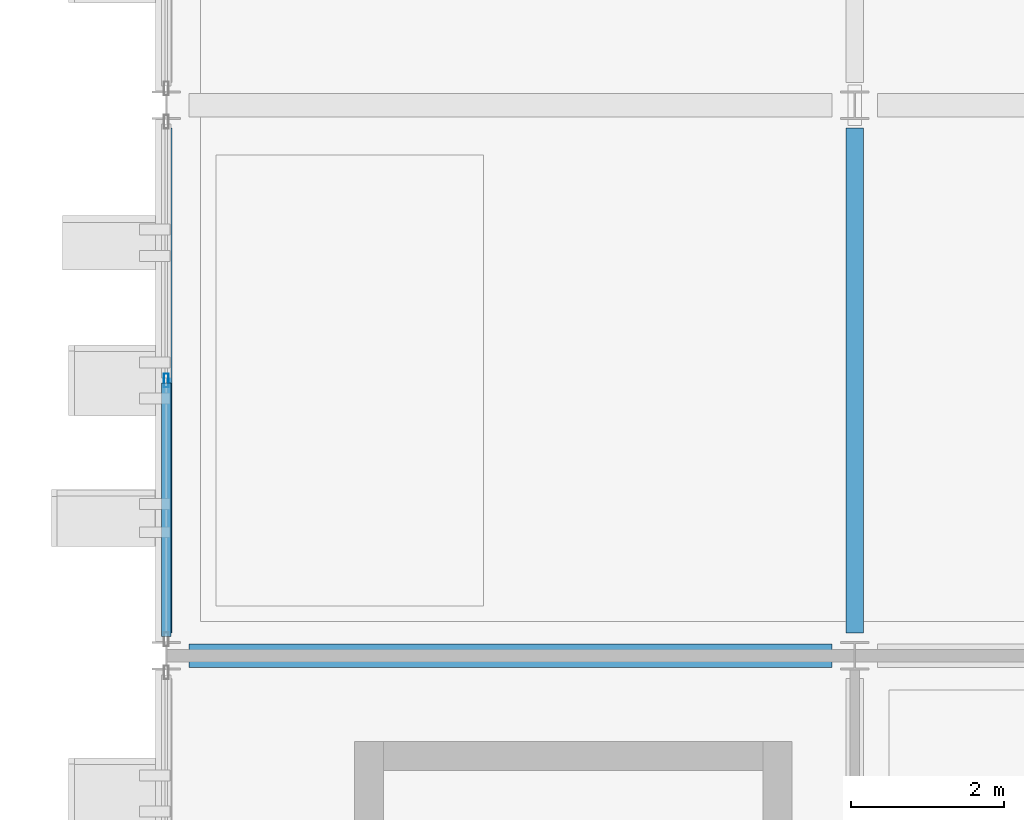
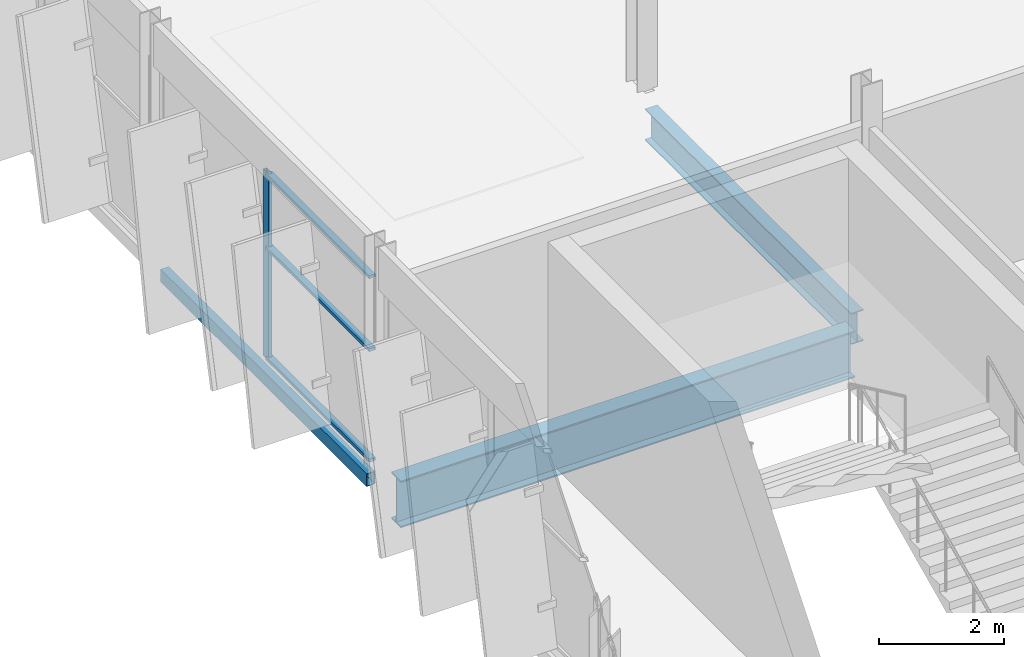
# One storey, part 26 of 78: 4 members, 3 beams, 1 element without a shape of its own.
"""IFC4 building model written with IfcOpenShell, lengths in metres."""

from ifc_helpers import new_model, si_unit, direction, frame, origin, origin_2d, place, context, subcontext, project, spatial, hollow_rectangle, i_section, extrude, material, layer, layer_set, material_profile, profile_set, type_object, element, aggregate, save


model = new_model("IFC4")

# Units and contexts
model_context = context("Model", 3, precision=1e-05, world=origin(), true_north=direction((0.0, 1.0)))
body_context = subcontext(model_context, "Body", "Model", "MODEL_VIEW")
ifc_project = project(units=[si_unit("LENGTHUNIT", "METRE"), si_unit("AREAUNIT", "SQUARE_METRE"), si_unit("VOLUMEUNIT", "CUBIC_METRE"), si_unit("PLANEANGLEUNIT", "RADIAN"), si_unit("MASSUNIT", "GRAM", prefix="KILO")], contexts=[model_context])

# Site, building, storey
site_placement = place(None, origin())
site = spatial("IfcSite", under=ifc_project, at=site_placement, CompositionType="ELEMENT")
building_placement = place(site_placement, origin())
building = spatial("IfcBuilding", under=site, at=building_placement, Name="Celestram Park Convention Centre", CompositionType="ELEMENT")
storey_placement = place(building_placement, frame((0.0, 0.0, 19.800048828125)))
storey = spatial("IfcBuildingStorey", under=building, at=storey_placement, Name="L04", CompositionType="ELEMENT", Elevation=19.800048828125)

# Curtain wall, members
ifc_material_1 = material(Name="Anodised Aluminium Alloy 6063-T6", Category="aluminium")
ifc_layer = layer(ifc_material_1, 0.179931640625)
ifc_layer_set = layer_set([ifc_layer], Name="Anodised Aluminium Alloy 6063-T6")
curtain_wall_type = type_object("IfcCurtainWallType", Name="ARC-CW-683X365", PredefinedType="NOTDEFINED", material=ifc_layer_set)
curtain_wall_placement = place(storey_placement, origin())
curtain_wall = element("IfcCurtainWall", 1, at=curtain_wall_placement, inside=storey, type_object=curtain_wall_type, Name="Unitised curtain wall CU-L04-231", PredefinedType="NOTDEFINED")
ifc_material_profile_1 = material_profile(ifc_material_1, hollow_rectangle(XDim=0.06494140625, YDim=0.179931640625, WallThickness=0.00390625, at=origin_2d()), Name="ALU65X180X4")
ifc_profile_set_1 = profile_set([ifc_material_profile_1], Name="Anodised Aluminium Alloy 6063-T6")
member_type_1 = type_object("IfcMemberType", Name="ARC-CWM-150", PredefinedType="MULLION", material=ifc_profile_set_1)
member_1_placement = place(storey_placement, frame((36.0, 126.0, 0.0), z_axis=(0.0, 0.0, 1.0), x_axis=(-1.0, 0.0, 0.0)))
member_1 = element("IfcMember", 2, at=member_1_placement, type_object=member_type_1, Name="CW-68X36 mullion 2", PredefinedType="MULLION", context=body_context, shape_type="SweptSolid", body=[
    extrude(hollow_rectangle(XDim=0.06494140625, YDim=0.179931640625, WallThickness=0.00390625, at=origin_2d()), origin(), (0.0, 0.0, 1.0), 3.64794921875),
])
ifc_material_profile_2 = material_profile(ifc_material_1, hollow_rectangle(XDim=0.1201171875, YDim=0.06005859375, WallThickness=0.0029296875, at=origin_2d()), Name="ALU120X60X3")
ifc_profile_set_2 = profile_set([ifc_material_profile_2], Name="Anodised Aluminium Alloy 6063-T6")
member_type_2 = type_object("IfcMemberType", Name="ARC-CWT-120", PredefinedType="USERDEFINED", material=ifc_profile_set_2)
member_2_placement = place(storey_placement, frame((36.0, 122.6494140625, 0.030029296875), z_axis=(0.0, 1.0, 0.0), x_axis=(-1.0, 0.0, 0.0)))
member_2 = element("IfcMember", 3, at=member_2_placement, type_object=member_type_2, Name="CW-68X36 transom 1.1", ObjectType="TRANSOM", PredefinedType="USERDEFINED", context=body_context, shape_type="SweptSolid", body=[
    extrude(hollow_rectangle(XDim=0.1201171875, YDim=0.06005859375, WallThickness=0.0029296875, at=origin_2d()), origin(), (0.0, 0.0, 1.0), 3.318115234375),
])
member_3_placement = place(storey_placement, frame((36.0, 122.6494140625, 2.18896484375), z_axis=(0.0, 1.0, 0.0), x_axis=(-1.0, 0.0, 0.0)))
member_3 = element("IfcMember", 4, at=member_3_placement, type_object=member_type_2, Name="CW-68X36 transom 1.2", ObjectType="TRANSOM", PredefinedType="USERDEFINED", context=body_context, shape_type="SweptSolid", body=[
    extrude(hollow_rectangle(XDim=0.1201171875, YDim=0.06005859375, WallThickness=0.0029296875, at=origin_2d()), origin(), (0.0, 0.0, 1.0), 3.318115234375),
])
member_4_placement = place(storey_placement, frame((36.0, 122.6494140625, 3.617919921875), z_axis=(0.0, 1.0, 0.0), x_axis=(-1.0, 0.0, 0.0)))
member_4 = element("IfcMember", 5, at=member_4_placement, type_object=member_type_2, Name="CW-68X36 transom 1.3", ObjectType="TRANSOM", PredefinedType="USERDEFINED", context=body_context, shape_type="SweptSolid", body=[
    extrude(hollow_rectangle(XDim=0.1201171875, YDim=0.06005859375, WallThickness=0.0029296875, at=origin_2d()), origin(), (0.0, 0.0, 1.0), 3.318115234375),
])
aggregate(curtain_wall, [member_1, member_2, member_3, member_4])

# Beams
ifc_material_2 = material(Name="Steel ASTM A992 Grade 50", Category="steel")
ifc_material_profile_3 = material_profile(ifc_material_2, i_section(OverallWidth=0.22900390625, OverallDepth=0.612060546875, WebThickness=0.011962890625, FlangeThickness=0.01953125, at=origin_2d()), Name="W24X84")
ifc_profile_set_3 = profile_set([ifc_material_profile_3], Name="Steel ASTM A992 Grade 50")
beam_type_1 = type_object("IfcBeamType", Name="STR-BM-W24X84", PredefinedType="BEAM", material=ifc_profile_set_3)
beam_1_placement = place(storey_placement, frame((45.0, 122.697998046875, -0.55615234375), z_axis=(0.0, 1.0, 0.0), x_axis=(-1.0, 0.0, 0.0)))
element("IfcBeam", 6, at=beam_1_placement, inside=storey, type_object=beam_type_1, Name="Primary Y-girder BG-L04-0019", PredefinedType="BEAM", context=body_context, shape_type="SweptSolid", body=[
    extrude(i_section(OverallWidth=0.22900390625, OverallDepth=0.612060546875, WebThickness=0.011962890625, FlangeThickness=0.01953125, at=origin_2d()), origin(), (0.0, 0.0, 1.0), 6.60400390625),
])
ifc_material_profile_4 = material_profile(ifc_material_2, i_section(OverallWidth=0.304931640625, OverallDepth=0.9140625, WebThickness=0.0166015625, FlangeThickness=0.02587890625, at=origin_2d()), Name="W36X160")
ifc_profile_set_4 = profile_set([ifc_material_profile_4], Name="Steel ASTM A992 Grade 50")
beam_type_2 = type_object("IfcBeamType", Name="STR-BM-W36X160", PredefinedType="BEAM", material=ifc_profile_set_4)
beam_2_placement = place(storey_placement, frame((36.298095703125, 122.39990234375, -0.70703125), z_axis=(1.0, 0.0, 0.0), x_axis=(0.0, 1.0, 0.0)))
element("IfcBeam", 7, at=beam_2_placement, inside=storey, type_object=beam_type_2, Name="Primary X-girder BG-L04-0004", PredefinedType="BEAM", context=body_context, shape_type="SweptSolid", body=[
    extrude(i_section(OverallWidth=0.304931640625, OverallDepth=0.9140625, WebThickness=0.0166015625, FlangeThickness=0.02587890625, at=origin_2d()), origin(), (0.0, 0.0, 1.0), 8.40380859375),
])
ifc_material_3 = material(Name="Steel ASTM A500 Grade C", Category="steel")
ifc_material_profile_5 = material_profile(ifc_material_3, hollow_rectangle(XDim=0.14990234375, YDim=0.25, WallThickness=0.010009765625, at=origin_2d()), Name="HSS250X150X10")
ifc_profile_set_5 = profile_set([ifc_material_profile_5], Name="Steel ASTM A500 Grade C")
beam_type_3 = type_object("IfcBeamType", Name="STR-SPN-HSS250X150", PredefinedType="SPANDREL", material=ifc_profile_set_5)
beam_3_placement = place(storey_placement, frame((36.0, 122.697998046875, -0.375), z_axis=(0.0, 1.0, 0.0), x_axis=(-1.0, 0.0, 0.0)))
element("IfcBeam", 8, at=beam_3_placement, inside=storey, type_object=beam_type_3, Name="Primary Y-girder BG-L04-0005", PredefinedType="SPANDREL", context=body_context, shape_type="SweptSolid", body=[
    extrude(hollow_rectangle(XDim=0.14990234375, YDim=0.25, WallThickness=0.010009765625, at=origin_2d()), origin(), (0.0, 0.0, 1.0), 6.60400390625),
])

save(model, "model.ifc")
